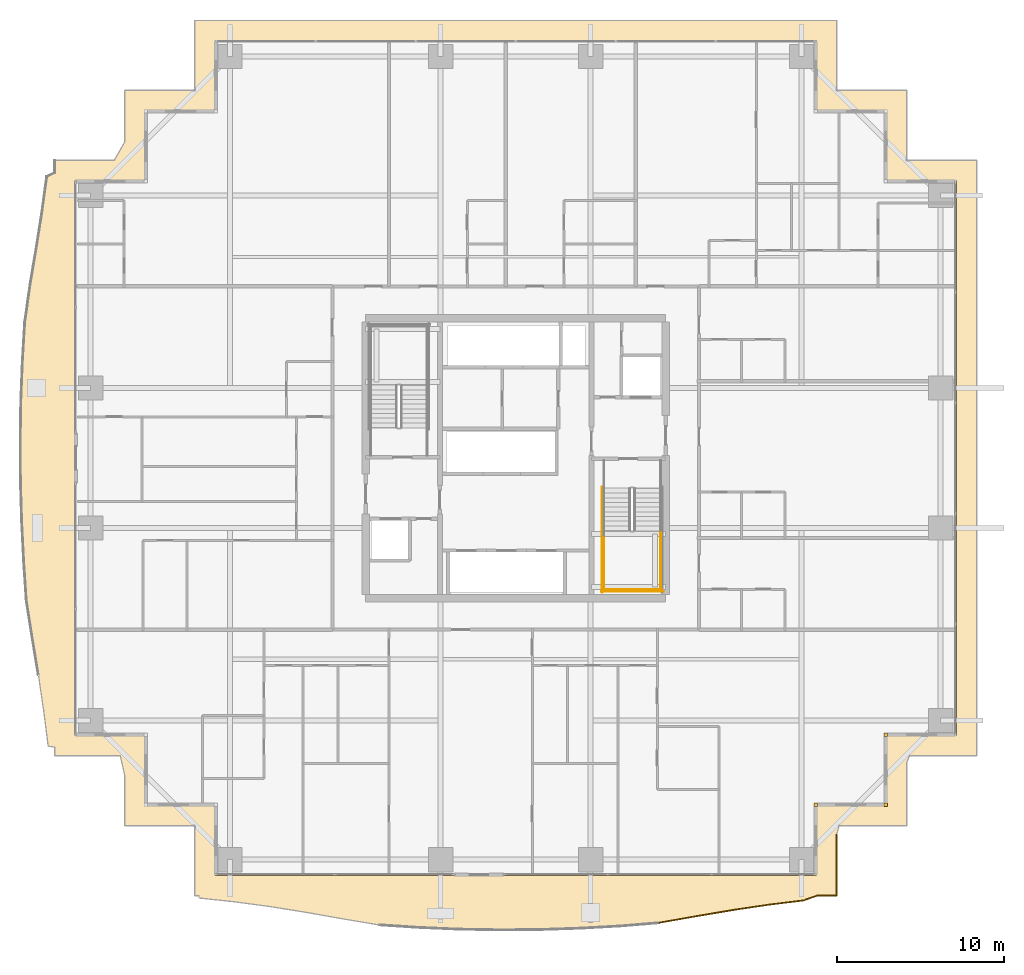
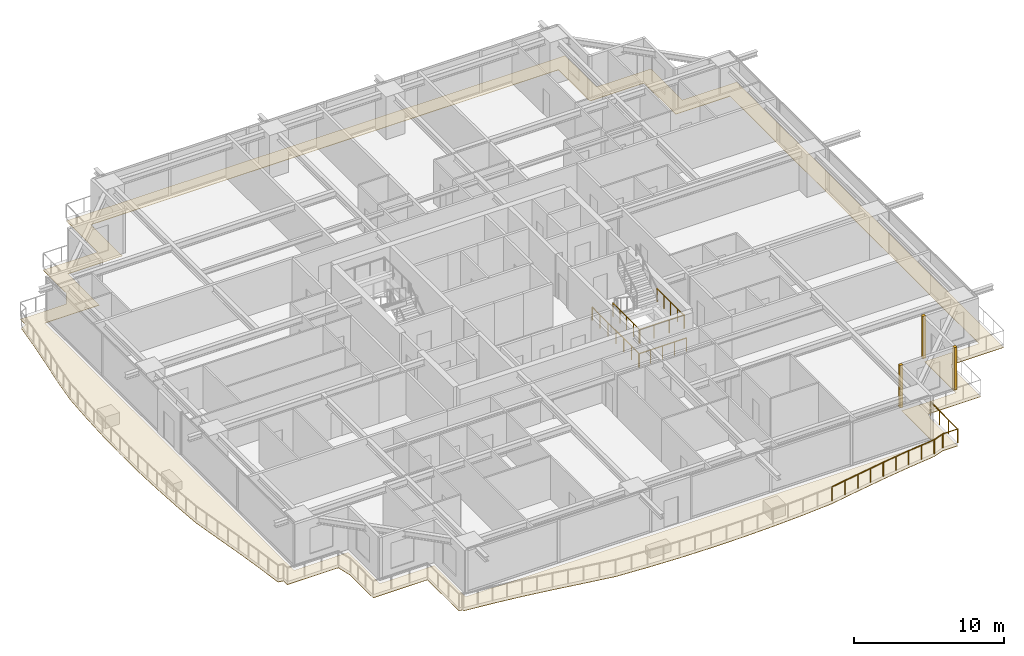
# One storey, part 36 of 40: 6 railings, 4 coverings.
"""IFC4 building model written with IfcOpenShell, lengths in metres."""

from ifc_helpers import new_model, si_unit, direction, frame, origin, origin_2d, place, context, subcontext, project, spatial, polyline, rectangle, circle, outline, extrude, source, transform, mapped, material, layer, layer_set, type_object, element, save


model = new_model("IFC4")

# Units and contexts
model_context = context("Model", 3, precision=1e-05, world=origin(), true_north=direction((0.0, 1.0)))
body_context = subcontext(model_context, "Body", "Model", "MODEL_VIEW")
ifc_project = project(units=[si_unit("LENGTHUNIT", "METRE"), si_unit("AREAUNIT", "SQUARE_METRE"), si_unit("VOLUMEUNIT", "CUBIC_METRE"), si_unit("PLANEANGLEUNIT", "RADIAN"), si_unit("MASSUNIT", "GRAM", prefix="KILO")], contexts=[model_context])

# Site, building, storey
site_placement = place(None, origin())
site = spatial("IfcSite", under=ifc_project, at=site_placement, CompositionType="ELEMENT")
building_placement = place(site_placement, origin())
building = spatial("IfcBuilding", under=site, at=building_placement, Name="Serunith Strait Residences", CompositionType="ELEMENT")
storey_placement = place(building_placement, frame((0.0, 0.0, 90.449951171875)))
storey = spatial("IfcBuildingStorey", under=building, at=storey_placement, Name="L22", CompositionType="ELEMENT", Elevation=90.449951171875)

# Covering
ifc_material_1 = material(Name="Golden Teak Exterior Timber Boarding", Category="wood")
ifc_layer_1 = layer(ifc_material_1, 0.034912109375, Name="Golden Teak Exterior Timber Boarding")
ifc_layer_set_1 = layer_set([ifc_layer_1], Name="Golden Teak Exterior Timber Boarding")
covering_type_1 = type_object("IfcCoveringType", Name="COV-TEAK-SOFFIT", PredefinedType="CEILING", material=ifc_layer_set_1)
covering_placement = place(storey_placement, frame((0.0, 0.0, -0.324951171875)))
element("IfcCovering", 1, at=covering_placement, inside=storey, type_object=covering_type_1, Name="L22 Golden-Teak Balcony Soffit Lining", PredefinedType="CEILING", context=body_context, shape_type="SweptSolid", body=[
    extrude(outline(polyline([(13.139892578125, 3.139892578125), (8.93994140625, 3.139892578125), (8.93994140625, 6.167724609375), (8.674072265625, 7.340087890625), (4.739990234375, 7.340087890625), (4.739990234375, 7.851318359375), (4.347412109375, 7.9150390625), (4.077880859375, 10.046630859375), (3.759521484375, 12.19970703125), (3.401611328125, 14.3896484375), (3.0439453125, 16.6376953125), (2.88818359375, 18.986572265625), (2.768310546875, 21.364990234375), (2.69482421875, 23.765380859375), (2.679931640625, 26.17578125), (2.714599609375, 28.582763671875), (2.80810546875, 30.97265625), (2.94775390625, 33.334716796875), (3.26806640625, 35.609619140625), (3.640380859375, 37.8095703125), (3.9794921875, 39.966552734375), (4.269775390625, 42.09765625), (4.739990234375, 42.31201171875), (4.739990234375, 43.06005859375), (8.306884765625, 43.06005859375), (8.93994140625, 44.162109375), (8.93994140625, 47.260009765625), (13.139892578125, 47.260009765625), (13.139892578125, 51.4599609375), (51.659912109375, 51.4599609375), (51.659912109375, 47.260009765625), (55.860107421875, 47.260009765625), (55.860107421875, 43.06005859375), (60.06005859375, 43.06005859375), (60.06005859375, 7.340087890625), (56.041259765625, 7.340087890625), (55.860107421875, 6.9423828125), (55.860107421875, 3.139892578125), (51.80322265625, 3.139892578125), (51.659912109375, 2.60302734375), (51.659912109375, -1.06005859375), (50.50439453125, -1.06005859375), (49.677490234375, -1.353515625), (47.551513671875, -1.61669921875), (45.406982421875, -1.935791015625), (43.227294921875, -2.3037109375), (40.992431640625, -2.697509765625), (38.6455078125, -2.89111328125), (36.257080078125, -3.022705078125), (33.843505859375, -3.103515625), (31.418212890625, -3.1201171875), (31.418212890625, -3.1201171875), (28.9970703125, -3.079833984375), (26.595703125, -2.9755859375), (24.22705078125, -2.8212890625), (21.97119140625, -2.438232421875), (19.781982421875, -2.052490234375), (17.635009765625, -1.71044921875), (15.5107421875, -1.425048828125), (13.39453125, -1.196533203125), (13.395751953125, -1.06005859375), (13.139892578125, -1.06005859375), (13.139892578125, 3.139892578125)]), holes=[polyline([(50.455078125, 0.14501953125), (50.455078125, 4.344970703125), (54.655029296875, 4.344970703125), (54.655029296875, 8.544921875), (58.85498046875, 8.544921875), (58.85498046875, 41.85498046875), (54.655029296875, 41.85498046875), (54.655029296875, 46.054931640625), (50.455078125, 46.054931640625), (50.455078125, 50.2548828125), (14.344970703125, 50.2548828125), (14.344970703125, 46.054931640625), (10.14501953125, 46.054931640625), (10.14501953125, 41.85498046875), (5.945068359375, 41.85498046875), (5.945068359375, 8.544921875), (10.14501953125, 8.544921875), (10.14501953125, 4.344970703125), (14.344970703125, 4.344970703125), (14.344970703125, 0.14501953125), (50.455078125, 0.14501953125)])]), origin(), (0.0, 0.0, 1.0), 0.034912109375),
])

# Railings
ifc_material_2 = material(Name="Stainless Steel & Laminated Glass Balustrade", Category="steel")
railing_type_1 = type_object("IfcRailingType", Name="RLG-BALC-1150", PredefinedType="BALUSTRADE", material=ifc_material_2)
railing_1_placement = place(storey_placement, frame((51.659912109375, 2.60302734375, -0.050048828125)))
element("IfcRailing", 2, at=railing_1_placement, inside=storey, type_object=railing_type_1, Name="L22 Swirling Balcony Perimeter Balustrade 6", PredefinedType="BALUSTRADE", context=body_context, shape_type="SweptSolid", body=[
    extrude(circle(Radius=0.02392578125, at=origin_2d()), frame((0.0, -0.001953125, 1.1259765625), z_axis=(0.0, -1.0, 0.0), x_axis=(1.0, 0.0, 0.0)), (0.0, 0.0, 1.0), 3.6591796875),
    extrude(circle(Radius=0.02392578125, at=origin_2d()), frame((-0.001953125, -3.6630859375, 1.1259765625), z_axis=(-1.0, 0.0, 0.0), x_axis=(0.0, -1.0, 0.0)), (0.0, 0.0, 1.0), 1.151611328125),
    extrude(circle(Radius=0.02392578125, at=origin_2d()), frame((-1.157470703125, -3.663818359375, 1.1259765625), z_axis=(-0.942413600979, -0.334449704274, 0.0), x_axis=(0.334449704274, -0.942413600979, 0.0)), (0.0, 0.0, 1.0), 0.87353515625),
    extrude(circle(Radius=0.02392578125, at=origin_2d()), frame((-1.984375, -3.956787109375, 1.1259765625), z_axis=(-0.992424457587, -0.122856403914, 0.0), x_axis=(0.122856403914, -0.992424457587, 0.0)), (0.0, 0.0, 1.0), 2.13818359375),
    extrude(circle(Radius=0.02392578125, at=origin_2d()), frame((-4.1103515625, -4.219970703125, 1.1259765625), z_axis=(-0.989110764017, -0.147173015548, 0.0), x_axis=(0.147173015548, -0.989110764017, 0.0)), (0.0, 0.0, 1.0), 2.1640625),
    extrude(circle(Radius=0.02392578125, at=origin_2d()), frame((-6.2548828125, -4.5390625, 1.1259765625), z_axis=(-0.98605152123, -0.166440372143, 0.0), x_axis=(0.166440372143, -0.98605152123, 0.0)), (0.0, 0.0, 1.0), 2.20654296875),
    extrude(circle(Radius=0.02392578125, at=origin_2d()), frame((-8.4345703125, -4.906982421875, 1.1259765625), z_axis=(-0.984827932326, -0.173533696181, 0.0), x_axis=(0.173533696181, -0.984827932326, 0.0)), (0.0, 0.0, 1.0), 2.265380859375),
    extrude(circle(Radius=0.02099609375, at=origin_2d()), origin(), (0.0, 0.0, 1.0), 1.099853515625),
    extrude(circle(Radius=0.02099609375, at=origin_2d()), frame((0.0, -1.220947265625, 0.0)), (0.0, 0.0, 1.0), 1.099853515625),
    extrude(circle(Radius=0.02099609375, at=origin_2d()), frame((0.0, -2.442138671875, 0.0)), (0.0, 0.0, 1.0), 1.099853515625),
    extrude(circle(Radius=0.02099609375, at=origin_2d()), frame((0.0, -3.6630859375, 0.0)), (0.0, 0.0, 1.0), 1.099853515625),
    extrude(circle(Radius=0.02099609375, at=origin_2d()), frame((-1.155517578125, -3.6630859375, 0.0)), (0.0, 0.0, 1.0), 1.099853515625),
    extrude(circle(Radius=0.02099609375, at=origin_2d()), frame((-1.982421875, -3.95654296875, 0.0)), (0.0, 0.0, 1.0), 1.099853515625),
    extrude(circle(Radius=0.02099609375, at=origin_2d()), frame((-3.04541015625, -4.088134765625, 0.0)), (0.0, 0.0, 1.0), 1.099853515625),
    extrude(circle(Radius=0.02099609375, at=origin_2d()), frame((-4.1083984375, -4.2197265625, 0.0)), (0.0, 0.0, 1.0), 1.099853515625),
    extrude(circle(Radius=0.02099609375, at=origin_2d()), frame((-5.1806640625, -4.37939453125, 0.0)), (0.0, 0.0, 1.0), 1.099853515625),
    extrude(circle(Radius=0.02099609375, at=origin_2d()), frame((-6.2529296875, -4.538818359375, 0.0)), (0.0, 0.0, 1.0), 1.099853515625),
    extrude(circle(Radius=0.02099609375, at=origin_2d()), frame((-7.3427734375, -4.72265625, 0.0)), (0.0, 0.0, 1.0), 1.099853515625),
    extrude(circle(Radius=0.02099609375, at=origin_2d()), frame((-8.4326171875, -4.90673828125, 0.0)), (0.0, 0.0, 1.0), 1.099853515625),
    extrude(circle(Radius=0.02099609375, at=origin_2d()), frame((-9.550048828125, -5.103515625, 0.0)), (0.0, 0.0, 1.0), 1.099853515625),
    extrude(circle(Radius=0.02099609375, at=origin_2d()), frame((-10.66748046875, -5.300537109375, 0.0)), (0.0, 0.0, 1.0), 1.099853515625),
])
ifc_material_3 = material(Name="Brushed stainless steel 316L", Category="steel")
railing_type_2 = type_object("IfcRailingType", Name="RLG-STAIR-GUARD", PredefinedType="BALUSTRADE", material=ifc_material_3)
for number, where, name in (
    (3, (37.699951171875, 20.85009765625, 1.875), "L22 ST-2 stair guard 3"),
    (4, (41.10009765625, 20.85009765625, 1.875), "L22 ST-2 stair guard 4"),
):
    element("IfcRailing", number, at=place(storey_placement, frame(where)), inside=storey, type_object=railing_type_2, Name=name, PredefinedType="BALUSTRADE", context=body_context, shape_type="SweptSolid", body=[
        extrude(circle(Radius=0.02392578125, at=origin_2d()), frame((0.0, -0.001953125, 1.076171875), z_axis=(0.0, -1.0, 0.0), x_axis=(1.0, 0.0, 0.0)), (0.0, 0.0, 1.0), 3.59619140625),
        extrude(circle(Radius=0.02099609375, at=origin_2d()), origin(), (0.0, 0.0, 1.0), 1.050048828125),
        extrude(circle(Radius=0.02099609375, at=origin_2d()), frame((0.0, -0.89990234375, 0.0)), (0.0, 0.0, 1.0), 1.050048828125),
        extrude(circle(Radius=0.02099609375, at=origin_2d()), frame((0.0, -1.800048828125, 0.0)), (0.0, 0.0, 1.0), 1.050048828125),
        extrude(circle(Radius=0.02099609375, at=origin_2d()), frame((0.0, -2.7001953125, 0.0)), (0.0, 0.0, 1.0), 1.050048828125),
        extrude(circle(Radius=0.02099609375, at=origin_2d()), frame((0.0, -3.60009765625, 0.0)), (0.0, 0.0, 1.0), 1.050048828125),
    ])
railing_2_placement = place(storey_placement, frame((37.64990234375, 17.300048828125, 1.875)))
element("IfcRailing", 5, at=railing_2_placement, inside=storey, type_object=railing_type_2, Name="L22 ST-2 stair guard 5", PredefinedType="BALUSTRADE", context=body_context, shape_type="SweptSolid", body=[
    extrude(circle(Radius=0.02392578125, at=origin_2d()), frame((0.001953125, 0.0, 1.076171875), z_axis=(1.0, 0.0, 0.0), x_axis=(0.0, 1.0, 0.0)), (0.0, 0.0, 1.0), 3.49609375),
    extrude(circle(Radius=0.02099609375, at=origin_2d()), origin(), (0.0, 0.0, 1.0), 1.050048828125),
    extrude(circle(Radius=0.02099609375, at=origin_2d()), frame((1.166748046875, 0.0, 0.0)), (0.0, 0.0, 1.0), 1.050048828125),
    extrude(circle(Radius=0.02099609375, at=origin_2d()), frame((2.333251953125, 0.0, 0.0)), (0.0, 0.0, 1.0), 1.050048828125),
    extrude(circle(Radius=0.02099609375, at=origin_2d()), frame((3.5, 0.0, 0.0)), (0.0, 0.0, 1.0), 1.050048828125),
])
railing_3_placement = place(storey_placement, frame((37.60009765625, 23.469970703125, 0.0)))
element("IfcRailing", 6, at=railing_3_placement, inside=storey, type_object=railing_type_2, Name="L22 ST-2 stair guard 10", PredefinedType="BALUSTRADE", context=body_context, shape_type="SweptSolid", body=[
    extrude(circle(Radius=0.02392578125, at=origin_2d()), frame((0.0, -0.001953125, 1.076171875), z_axis=(0.0, -1.0, 0.0), x_axis=(1.0, 0.0, 0.0)), (0.0, 0.0, 1.0), 6.316162109375),
    extrude(circle(Radius=0.02099609375, at=origin_2d()), origin(), (0.0, 0.0, 1.0), 1.050048828125),
    extrude(circle(Radius=0.02099609375, at=origin_2d()), frame((0.0, -1.05322265625, 0.0)), (0.0, 0.0, 1.0), 1.050048828125),
    extrude(circle(Radius=0.02099609375, at=origin_2d()), frame((0.0, -2.106689453125, 0.0)), (0.0, 0.0, 1.0), 1.050048828125),
    extrude(circle(Radius=0.02099609375, at=origin_2d()), frame((0.0, -3.16015625, 0.0)), (0.0, 0.0, 1.0), 1.050048828125),
    extrude(circle(Radius=0.02099609375, at=origin_2d()), frame((0.0, -4.21337890625, 0.0)), (0.0, 0.0, 1.0), 1.050048828125),
    extrude(circle(Radius=0.02099609375, at=origin_2d()), frame((0.0, -5.2666015625, 0.0)), (0.0, 0.0, 1.0), 1.050048828125),
    extrude(circle(Radius=0.02099609375, at=origin_2d()), frame((0.0, -6.320068359375, 0.0)), (0.0, 0.0, 1.0), 1.050048828125),
])
railing_4_placement = place(storey_placement, frame((37.550048828125, 17.199951171875, 0.0)))
element("IfcRailing", 7, at=railing_4_placement, inside=storey, type_object=railing_type_2, Name="L22 ST-2 stair guard 12", PredefinedType="BALUSTRADE", context=body_context, shape_type="SweptSolid", body=[
    extrude(circle(Radius=0.02392578125, at=origin_2d()), frame((0.001953125, 0.0, 1.076171875), z_axis=(1.0, 0.0, 0.0), x_axis=(0.0, 1.0, 0.0)), (0.0, 0.0, 1.0), 3.696044921875),
    extrude(circle(Radius=0.02099609375, at=origin_2d()), origin(), (0.0, 0.0, 1.0), 1.050048828125),
    extrude(circle(Radius=0.02099609375, at=origin_2d()), frame((0.925048828125, 0.0, 0.0)), (0.0, 0.0, 1.0), 1.050048828125),
    extrude(circle(Radius=0.02099609375, at=origin_2d()), frame((1.85009765625, 0.0, 0.0)), (0.0, 0.0, 1.0), 1.050048828125),
    extrude(circle(Radius=0.02099609375, at=origin_2d()), frame((2.77490234375, 0.0, 0.0)), (0.0, 0.0, 1.0), 1.050048828125),
    extrude(circle(Radius=0.02099609375, at=origin_2d()), frame((3.699951171875, 0.0, 0.0)), (0.0, 0.0, 1.0), 1.050048828125),
])

# Coverings
ifc_material_4 = material(Name="Pale-Champagne Anodised Aluminium", Category="aluminium")
ifc_layer_2 = layer(ifc_material_4, 0.219970703125, Name="Pale-Champagne Anodised Aluminium")
ifc_layer_set_2 = layer_set([ifc_layer_2], Name="Pale-Champagne Anodised Aluminium")
covering_type_2 = type_object("IfcCoveringType", Name="COV-CORN-TRIM", PredefinedType="CLADDING", material=ifc_layer_set_2)
shared_shape = source(origin(), body_context, "Body", "SweptSolid", [
    extrude(rectangle(XDim=0.221923828125, YDim=0.221923828125, at=origin_2d()), origin(), (0.0, 0.0, 1.0), 3.47509765625),
])
for number, where, z_axis, x_axis, name in (
    (8, (50.39990234375, 4.39990234375, 0.0), (0.0, 0.0, 1.0), (1.0, 0.0, 0.0), "L22 Girih Serrated Corner Trim Post 02"),
    (9, (54.60009765625, 4.39990234375, 0.0), (0.0, 0.0, 1.0), (1.0, 0.0, 0.0), "L22 Girih Serrated Corner Trim Post 03"),
    (10, (54.60009765625, 8.60009765625, 0.0), (0.0, 0.0, 1.0), (1.0, 0.0, 0.0), "L22 Girih Serrated Corner Trim Post 04"),
):
    element("IfcCovering", number, at=place(storey_placement, frame(where, z_axis=z_axis, x_axis=x_axis)), inside=storey, type_object=covering_type_2, Name=name, PredefinedType="CLADDING", context=body_context, shape_type="MappedRepresentation", body=[
        mapped(shared_shape, transform((0.0, 0.0, 0.0), scale=1.0)),
    ])

save(model, "model.ifc")
